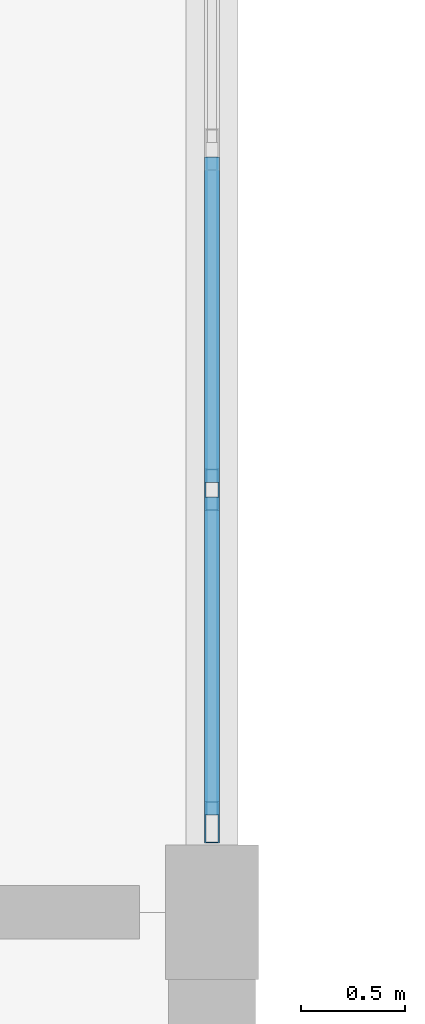
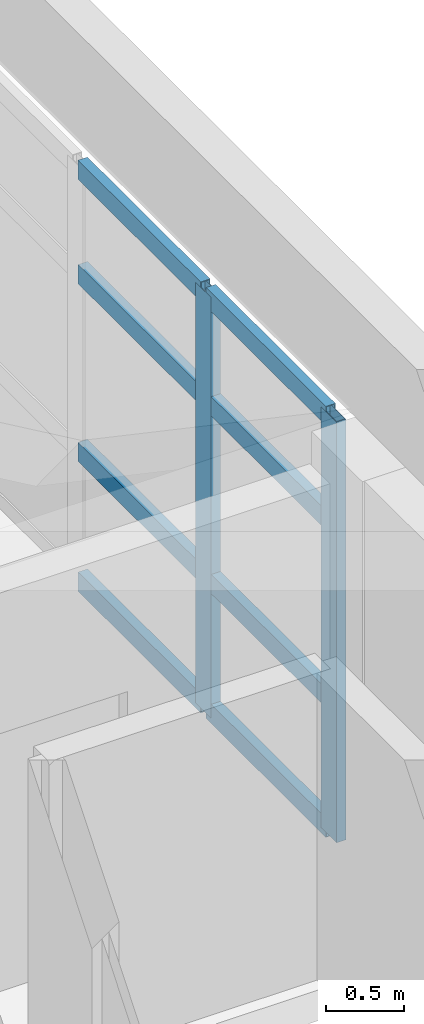
# One storey, part 13 of 80: 10 members, 1 element without a shape of its own.
"""IFC4 building model written with IfcOpenShell, lengths in metres."""

import ifcopenshell
import ifcopenshell.guid

model = None  # the IFC model being written
_history = None  # IfcOwnerHistory: only IFC2X3 demands one
_inside = {}  # id of a spatial element -> (the spatial element, [elements in it])
_under = {}  # id of a project, library or spatial element -> (it, [spatial elements below it])
_declared = {}  # id of a project -> (the project, [libraries it declares])
_typed = {}  # id of a type object -> (the type object, [elements of that type])
_made_of = {}  # id of a material, layer set ... -> (it, [elements and type objects made of it])


def new_model(schema):
    """Start an empty IFC model of exactly this schema.

    Asked for "IFC4X3", IfcOpenShell would pick the latest addendum, in which some entities
    have other attributes; the version numbers below select the first issue.
    IFC2X3 requires an IfcOwnerHistory on every rooted entity: one is made here for all.
    """
    global model, _history
    if schema == "IFC4X3":
        model = ifcopenshell.file(schema_version=(4, 3, 0, 0))
    else:
        model = ifcopenshell.file(schema=schema)
    _inside.clear()
    _under.clear()
    _declared.clear()
    _typed.clear()
    _made_of.clear()
    _history = None
    if model.schema == "IFC2X3":
        org = make("IfcOrganization", Name="unknown")
        user = make(
            "IfcPersonAndOrganization",
            ThePerson=make("IfcPerson", FamilyName="unknown"),
            TheOrganization=org,
        )
        app = make(
            "IfcApplication",
            ApplicationDeveloper=org,
            Version="unknown",
            ApplicationFullName="unknown",
            ApplicationIdentifier="unknown",
        )
        _history = make(
            "IfcOwnerHistory",
            OwningUser=user,
            OwningApplication=app,
            ChangeAction="ADDED",
            CreationDate=0,
        )
    return model


def make(cls, **values):
    """One entity of the class cls with the attributes given. An attribute that is None is left unset."""
    return model.create_entity(
        cls, **{name: value for name, value in values.items() if value is not None}
    )


def rooted(cls, **values):
    """An entity with a GlobalId (a new one), such as an element, a storey or a relation."""
    return make(cls, GlobalId=ifcopenshell.guid.new(), OwnerHistory=_history, **values)


def si_unit(unit_type, name, prefix=None):
    """IfcSIUnit, for example si_unit("LENGTHUNIT", "METRE", prefix="MILLI")."""
    return make("IfcSIUnit", UnitType=unit_type, Prefix=prefix, Name=name)


def assignment(units):
    """IfcUnitAssignment: the units of a project."""
    return None if units is None else make("IfcUnitAssignment", Units=units)


def point(xyz):
    """IfcCartesianPoint."""
    return None if xyz is None else make("IfcCartesianPoint", Coordinates=xyz)


def direction(xyz):
    """IfcDirection."""
    return None if xyz is None else make("IfcDirection", DirectionRatios=xyz)


def frame(location, z_axis=None, x_axis=None):
    """IfcAxis2Placement3D, a coordinate frame: its origin and axes. An axis left out is left unset."""
    return make(
        "IfcAxis2Placement3D",
        Location=point(location),
        Axis=direction(z_axis),
        RefDirection=direction(x_axis),
    )


def frame_2d(location, x_axis=None):
    """IfcAxis2Placement2D, a coordinate frame in the plane: its origin and x axis."""
    return make(
        "IfcAxis2Placement2D", Location=point(location), RefDirection=direction(x_axis)
    )


def origin():
    """The frame at (0, 0, 0) with its axes left unset."""
    return frame((0.0, 0.0, 0.0))


def origin_2d():
    """The frame at (0, 0) in the plane with its x axis left unset."""
    return frame_2d((0.0, 0.0))


def place(relative_to, where):
    """IfcLocalPlacement: puts the frame where relative to a parent placement (None: the world)."""
    return make(
        "IfcLocalPlacement", PlacementRelTo=relative_to, RelativePlacement=where
    )


def context(
    kind, dimensions, precision=None, world=None, true_north=None, identifier=None
):
    """IfcGeometricRepresentationContext, for example the 3D "Model" context."""
    return make(
        "IfcGeometricRepresentationContext",
        ContextIdentifier=identifier,
        ContextType=kind,
        CoordinateSpaceDimension=dimensions,
        Precision=precision,
        WorldCoordinateSystem=world,
        TrueNorth=true_north,
    )


def subcontext(parent, identifier, kind, view, scale=None):
    """IfcGeometricRepresentationSubContext, for example "Body" below "Model"."""
    return make(
        "IfcGeometricRepresentationSubContext",
        ContextIdentifier=identifier,
        ContextType=kind,
        ParentContext=parent,
        TargetScale=scale,
        TargetView=view,
    )


def project(units=None, contexts=None):
    """IfcProject with its units and contexts."""
    return rooted(
        "IfcProject",
        Name="project",
        RepresentationContexts=contexts,
        UnitsInContext=assignment(units),
    )


def spatial(cls, under=None, at=None, **own):
    """A site, building, storey or space (cls), placed at a placement, below another one or the project."""
    s = rooted(cls, ObjectPlacement=at, **own)
    if under is not None:
        _under.setdefault(under.id(), (under, []))[1].append(s)
    return s


def profile(cls, at=None, kind="AREA", **sizes):
    """A parametric profile (cls). Its sizes go by their IFC names, for example OverallWidth=200.0."""
    return make(cls, ProfileType=kind, Position=at, **sizes)


def hollow_rectangle(**sizes):
    """IfcRectangleHollowProfileDef."""
    return profile("IfcRectangleHollowProfileDef", **sizes)


def extrude(swept, where, along, depth):
    """IfcExtrudedAreaSolid: the profile swept, set in the frame where, extruded along a direction by depth."""
    return make(
        "IfcExtrudedAreaSolid",
        SweptArea=swept,
        Position=where,
        ExtrudedDirection=direction(along),
        Depth=depth,
    )


def shape(context_of_items, identifier, shape_type, items):
    """IfcShapeRepresentation: the items that make up one representation, for example the "Body"."""
    return make(
        "IfcShapeRepresentation",
        ContextOfItems=context_of_items,
        RepresentationIdentifier=identifier,
        RepresentationType=shape_type,
        Items=items,
    )


def material(Name=None, Category=None):
    """IfcMaterial."""
    return make("IfcMaterial", Name=Name, Category=Category)


def layer(
    of_material, thickness, ventilated=None, Name=None, Category=None, Priority=None
):
    """IfcMaterialLayer: one layer of a wall or slab, of a material (None: an air gap)."""
    return make(
        "IfcMaterialLayer",
        Material=of_material,
        LayerThickness=thickness,
        IsVentilated=ventilated,
        Name=Name,
        Category=Category,
        Priority=Priority,
    )


def layer_set(layers, Name=None):
    """IfcMaterialLayerSet."""
    return make("IfcMaterialLayerSet", MaterialLayers=layers, LayerSetName=Name)


def material_profile(
    of_material, cross_section, Name=None, Category=None, Priority=None
):
    """IfcMaterialProfile: a cross section and its material."""
    return make(
        "IfcMaterialProfile",
        Name=Name,
        Material=of_material,
        Profile=cross_section,
        Priority=Priority,
        Category=Category,
    )


def profile_set(profiles, Name=None, composite=None):
    """IfcMaterialProfileSet."""
    return make(
        "IfcMaterialProfileSet",
        Name=Name,
        MaterialProfiles=profiles,
        CompositeProfile=composite,
    )


def made_of(thing, what):
    """Note that an element or type object is made of a material, layer set ...; save() writes the relation."""
    if what is not None:
        _made_of.setdefault(what.id(), (what, []))[1].append(thing)
    return thing


def type_object(cls, material=None, **own):
    """A type object (cls), such as IfcWallType, which elements share."""
    return made_of(rooted(cls, **own), material)


def element(
    cls,
    number,
    at=None,
    inside=None,
    cuts=None,
    type_object=None,
    material=None,
    context=None,
    identifier="Body",
    shape_type=None,
    held_by="IfcProductDefinitionShape",
    body=None,
    shapes=None,
    **own,
):
    """One element of the class cls, such as IfcWall. Its Tag is "e" and its number.

    at: its placement. inside: the storey or other place that contains it. cuts: it is an
    opening in that element (IfcRelVoidsElement). A single representation is given by context,
    identifier, shape_type and body (its items); several are given by shapes. held_by: the class
    of the entity that holds the representations. save() writes the other relations.
    """
    e = rooted(cls, Tag="e%d" % number, ObjectPlacement=at, **own)
    if body is not None:
        shapes = [shape(context, identifier, shape_type, body)]
    if shapes is not None:
        e.Representation = make(held_by, Representations=shapes)
    if inside is not None:
        _inside.setdefault(inside.id(), (inside, []))[1].append(e)
    if cuts is not None:
        rooted(
            "IfcRelVoidsElement", RelatingBuildingElement=cuts, RelatedOpeningElement=e
        )
    if type_object is not None:
        _typed.setdefault(type_object.id(), (type_object, []))[1].append(e)
    return made_of(e, material)


def aggregate(whole, parts):
    """IfcRelAggregates: a whole, such as a stair, and the parts it consists of."""
    return rooted("IfcRelAggregates", RelatingObject=whole, RelatedObjects=parts)


def save(model, path):
    """Write the relations noted so far, then the file.

    IfcRelAggregates (storeys below a building ...), IfcRelContainedInSpatialStructure (elements
    in a storey), IfcRelDefinesByType, IfcRelAssociatesMaterial and IfcRelDeclares: one each for
    every whole, place, type object, material and project.
    """
    for whole, parts in _under.values():
        aggregate(whole, parts)
    for where, things in _inside.values():
        rooted(
            "IfcRelContainedInSpatialStructure",
            RelatedElements=things,
            RelatingStructure=where,
        )
    for kind, things in _typed.values():
        rooted("IfcRelDefinesByType", RelatedObjects=things, RelatingType=kind)
    for what, things in _made_of.values():
        rooted("IfcRelAssociatesMaterial", RelatedObjects=things, RelatingMaterial=what)
    for by, libraries in _declared.values():
        rooted("IfcRelDeclares", RelatingContext=by, RelatedDefinitions=libraries)
    model.write(path)


model = new_model("IFC4")

# Units and contexts
model_context = context("Model", 3, precision=1e-05, world=origin(), true_north=direction((0.0, 1.0)))
body_context = subcontext(model_context, "Body", "Model", "MODEL_VIEW")
ifc_project = project(units=[si_unit("LENGTHUNIT", "METRE"), si_unit("AREAUNIT", "SQUARE_METRE"), si_unit("VOLUMEUNIT", "CUBIC_METRE"), si_unit("PLANEANGLEUNIT", "RADIAN"), si_unit("MASSUNIT", "GRAM", prefix="KILO")], contexts=[model_context])

# Site, building, storey
site_placement = place(None, origin())
site = spatial("IfcSite", under=ifc_project, at=site_placement, CompositionType="ELEMENT")
building_placement = place(site_placement, origin())
building = spatial("IfcBuilding", under=site, at=building_placement, Name="Ornek Quay Market", CompositionType="ELEMENT")
storey_placement = place(building_placement, frame((0.0, 0.0, 8.39990234375)))
storey = spatial("IfcBuildingStorey", under=building, at=storey_placement, Name="L02", CompositionType="ELEMENT", Elevation=8.39990234375)

# Curtain wall, members
ifc_material_1 = material(Name="Anodised bronze aluminium and triple low-e glass", Category="aluminium")
ifc_layer = layer(ifc_material_1, 0.239990234375, Name="Anodised bronze aluminium and triple low-e glass", Category="aluminium")
ifc_layer_set = layer_set([ifc_layer], Name="Anodised bronze aluminium and triple low-e glass")
curtain_wall_type = type_object("IfcCurtainWallType", Name="CW-GAB-MOD1800", PredefinedType="USERDEFINED", material=ifc_layer_set)
curtain_wall_placement = place(storey_placement, origin())
curtain_wall = element("IfcCurtainWall", 1, at=curtain_wall_placement, inside=storey, type_object=curtain_wall_type, Name="Curtain wall CW-060", ObjectType="CURTAIN WALL", PredefinedType="USERDEFINED")
ifc_material_2 = material(Name="Anodised aluminium 6063-T6", Category="aluminium")
ifc_material_profile_1 = material_profile(ifc_material_2, hollow_rectangle(XDim=0.070068359375, YDim=0.199951171875, WallThickness=0.0048828125, at=origin_2d()), Name="CW-MUL-70x200", Category="aluminium")
ifc_profile_set_1 = profile_set([ifc_material_profile_1], Name="Anodised aluminium 6063-T6")
member_type_1 = type_object("IfcMemberType", Name="CW-MUL-70x200", PredefinedType="MULLION", material=ifc_profile_set_1)
member_1_placement = place(storey_placement, frame((125.199951171875, 38.43505859375, 0.0), z_axis=(0.0, 0.0, 1.0), x_axis=(-1.0, 0.0, 0.0)))
member_1 = element("IfcMember", 2, at=member_1_placement, type_object=member_type_1, Name="CW-060 mullion 1", PredefinedType="MULLION", context=body_context, shape_type="SweptSolid", body=[
    extrude(hollow_rectangle(XDim=0.070068359375, YDim=0.199951171875, WallThickness=0.0048828125, at=origin_2d()), origin(), (0.0, 0.0, 1.0), 3.2900390625),
])
member_2_placement = place(storey_placement, frame((125.199951171875, 40.0400390625, 0.0), z_axis=(0.0, 0.0, 1.0), x_axis=(-1.0, 0.0, 0.0)))
member_2 = element("IfcMember", 3, at=member_2_placement, type_object=member_type_1, Name="CW-060 mullion 2", PredefinedType="MULLION", context=body_context, shape_type="SweptSolid", body=[
    extrude(hollow_rectangle(XDim=0.070068359375, YDim=0.199951171875, WallThickness=0.0048828125, at=origin_2d()), origin(), (0.0, 0.0, 1.0), 3.2900390625),
])
ifc_material_profile_2 = material_profile(ifc_material_2, hollow_rectangle(XDim=0.070068359375, YDim=0.14990234375, WallThickness=0.0048828125, at=origin_2d()), Name="CW-TRN-70x150", Category="aluminium")
ifc_profile_set_2 = profile_set([ifc_material_profile_2], Name="Anodised aluminium 6063-T6")
member_type_2 = type_object("IfcMemberType", Name="CW-TRN-70x150", PredefinedType="USERDEFINED", material=ifc_profile_set_2)
member_3_placement = place(storey_placement, frame((125.199951171875, 38.469970703125, 0.03515625), z_axis=(0.0, 1.0, 0.0), x_axis=(-1.0, 0.0, 0.0)))
member_3 = element("IfcMember", 4, at=member_3_placement, type_object=member_type_2, Name="CW-060 transom 1.1", ObjectType="TRANSOM", PredefinedType="USERDEFINED", context=body_context, shape_type="SweptSolid", body=[
    extrude(hollow_rectangle(XDim=0.070068359375, YDim=0.14990234375, WallThickness=0.0048828125, at=origin_2d()), origin(), (0.0, 0.0, 1.0), 1.534912109375),
])
member_4_placement = place(storey_placement, frame((125.199951171875, 38.469970703125, 1.050048828125), z_axis=(0.0, 1.0, 0.0), x_axis=(-1.0, 0.0, 0.0)))
member_4 = element("IfcMember", 5, at=member_4_placement, type_object=member_type_2, Name="CW-060 transom 1.2", ObjectType="TRANSOM", PredefinedType="USERDEFINED", context=body_context, shape_type="SweptSolid", body=[
    extrude(hollow_rectangle(XDim=0.070068359375, YDim=0.14990234375, WallThickness=0.0048828125, at=origin_2d()), origin(), (0.0, 0.0, 1.0), 1.534912109375),
])
member_5_placement = place(storey_placement, frame((125.199951171875, 38.469970703125, 2.440185546875), z_axis=(0.0, 1.0, 0.0), x_axis=(-1.0, 0.0, 0.0)))
member_5 = element("IfcMember", 6, at=member_5_placement, type_object=member_type_2, Name="CW-060 transom 1.3", ObjectType="TRANSOM", PredefinedType="USERDEFINED", context=body_context, shape_type="SweptSolid", body=[
    extrude(hollow_rectangle(XDim=0.070068359375, YDim=0.14990234375, WallThickness=0.0048828125, at=origin_2d()), origin(), (0.0, 0.0, 1.0), 1.534912109375),
])
member_6_placement = place(storey_placement, frame((125.199951171875, 38.469970703125, 3.255126953125), z_axis=(0.0, 1.0, 0.0), x_axis=(-1.0, 0.0, 0.0)))
member_6 = element("IfcMember", 7, at=member_6_placement, type_object=member_type_2, Name="CW-060 transom 1.4", ObjectType="TRANSOM", PredefinedType="USERDEFINED", context=body_context, shape_type="SweptSolid", body=[
    extrude(hollow_rectangle(XDim=0.070068359375, YDim=0.14990234375, WallThickness=0.0048828125, at=origin_2d()), origin(), (0.0, 0.0, 1.0), 1.534912109375),
])
member_7_placement = place(storey_placement, frame((125.199951171875, 40.074951171875, 0.03515625), z_axis=(0.0, 1.0, 0.0), x_axis=(-1.0, 0.0, 0.0)))
member_7 = element("IfcMember", 8, at=member_7_placement, type_object=member_type_2, Name="CW-060 transom 2.1", ObjectType="TRANSOM", PredefinedType="USERDEFINED", context=body_context, shape_type="SweptSolid", body=[
    extrude(hollow_rectangle(XDim=0.070068359375, YDim=0.14990234375, WallThickness=0.0048828125, at=origin_2d()), origin(), (0.0, 0.0, 1.0), 1.570068359375),
])
member_8_placement = place(storey_placement, frame((125.199951171875, 40.074951171875, 1.050048828125), z_axis=(0.0, 1.0, 0.0), x_axis=(-1.0, 0.0, 0.0)))
member_8 = element("IfcMember", 9, at=member_8_placement, type_object=member_type_2, Name="CW-060 transom 2.2", ObjectType="TRANSOM", PredefinedType="USERDEFINED", context=body_context, shape_type="SweptSolid", body=[
    extrude(hollow_rectangle(XDim=0.070068359375, YDim=0.14990234375, WallThickness=0.0048828125, at=origin_2d()), origin(), (0.0, 0.0, 1.0), 1.570068359375),
])
member_9_placement = place(storey_placement, frame((125.199951171875, 40.074951171875, 2.440185546875), z_axis=(0.0, 1.0, 0.0), x_axis=(-1.0, 0.0, 0.0)))
member_9 = element("IfcMember", 10, at=member_9_placement, type_object=member_type_2, Name="CW-060 transom 2.3", ObjectType="TRANSOM", PredefinedType="USERDEFINED", context=body_context, shape_type="SweptSolid", body=[
    extrude(hollow_rectangle(XDim=0.070068359375, YDim=0.14990234375, WallThickness=0.0048828125, at=origin_2d()), origin(), (0.0, 0.0, 1.0), 1.570068359375),
])
member_10_placement = place(storey_placement, frame((125.199951171875, 40.074951171875, 3.255126953125), z_axis=(0.0, 1.0, 0.0), x_axis=(-1.0, 0.0, 0.0)))
member_10 = element("IfcMember", 11, at=member_10_placement, type_object=member_type_2, Name="CW-060 transom 2.4", ObjectType="TRANSOM", PredefinedType="USERDEFINED", context=body_context, shape_type="SweptSolid", body=[
    extrude(hollow_rectangle(XDim=0.070068359375, YDim=0.14990234375, WallThickness=0.0048828125, at=origin_2d()), origin(), (0.0, 0.0, 1.0), 1.570068359375),
])
aggregate(curtain_wall, [member_1, member_2, member_3, member_4, member_5, member_6, member_7, member_8, member_9, member_10])

save(model, "model.ifc")
